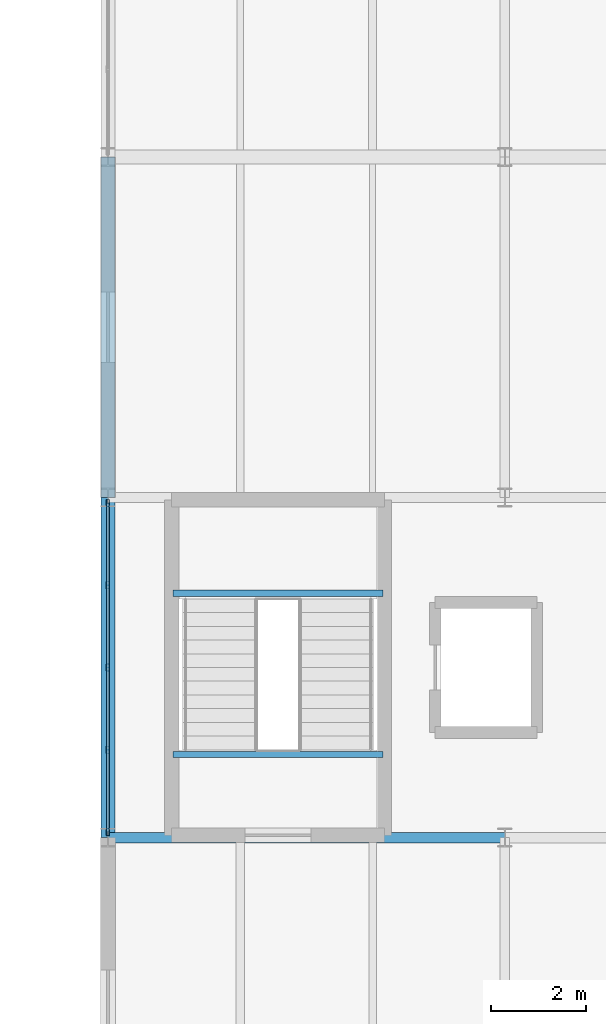
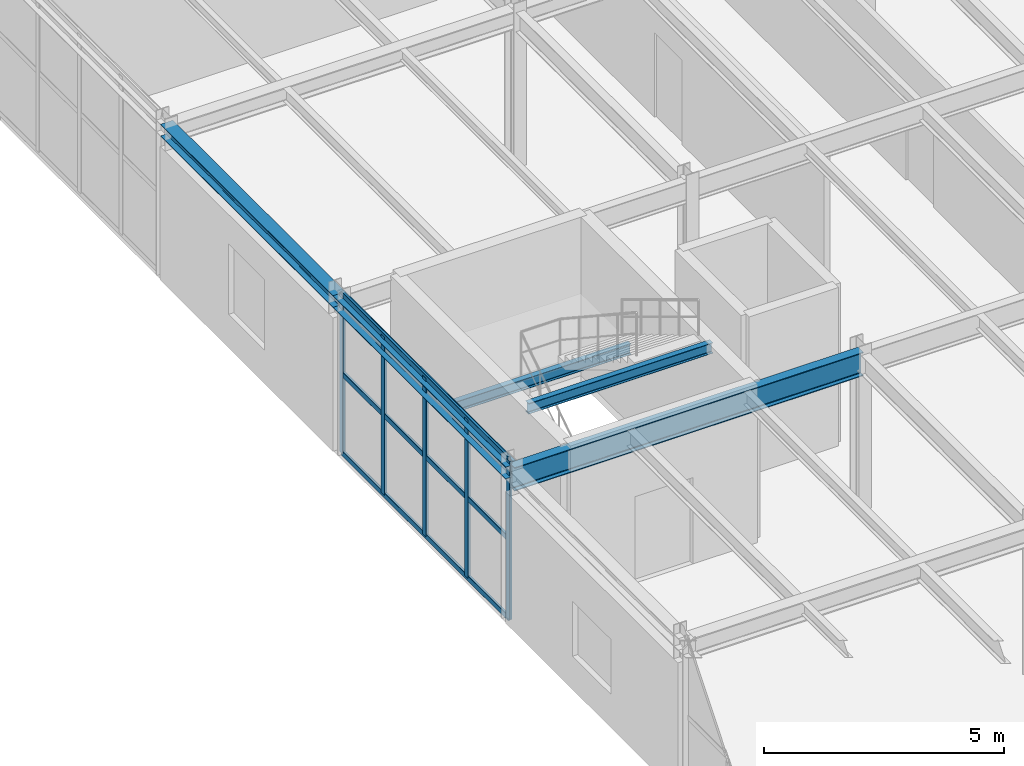
# One storey, part 78 of 134: 8 members, 5 beams, 1 element without a shape of its own.
"""IFC4 building model written with IfcOpenShell, lengths in metres."""

from ifc_helpers import new_model, si_unit, derived_unit, direction, frame, origin, origin_2d, place, context, subcontext, project, spatial, hollow_rectangle, i_section, extrude, material, material_profile, profile_set, type_object, element, aggregate, save


model = new_model("IFC4")

# Units and contexts
model_context = context("Model", 3, precision=1e-05, world=origin(), true_north=direction((0.0, 1.0)))
body_context = subcontext(model_context, "Body", "Model", "MODEL_VIEW")
ifc_project = project(units=[si_unit("LENGTHUNIT", "METRE"), si_unit("AREAUNIT", "SQUARE_METRE"), si_unit("VOLUMEUNIT", "CUBIC_METRE"), si_unit("PLANEANGLEUNIT", "RADIAN"), si_unit("MASSUNIT", "GRAM", prefix="KILO"), derived_unit("THERMALTRANSMITTANCEUNIT", [(si_unit("MASSUNIT", "GRAM", prefix="KILO"), 1), (si_unit("TIMEUNIT", "SECOND"), -3), (si_unit("THERMODYNAMICTEMPERATUREUNIT", "KELVIN"), -1)])], contexts=[model_context])

# Site, building, storey
site_placement = place(None, origin())
site = spatial("IfcSite", under=ifc_project, at=site_placement, CompositionType="ELEMENT")
building_placement = place(site_placement, origin())
building = spatial("IfcBuilding", under=site, at=building_placement, Name="Kharveza Railside Sports Centre", CompositionType="ELEMENT")
storey_placement = place(building_placement, frame((0.0, 0.0, 12.89990234375)))
storey = spatial("IfcBuildingStorey", under=building, at=storey_placement, Name="L03", CompositionType="ELEMENT", Elevation=12.89990234375)

# Beams
ifc_material_1 = material(Name="Steel S355J2", Category="steel")
ifc_material_profile_1 = material_profile(ifc_material_1, i_section(OverallWidth=0.219970703125, OverallDepth=0.60009765625, WebThickness=0.011962890625, FlangeThickness=0.01904296875, FilletRadius=0.02392578125, at=origin_2d()), Name="IPE 600")
ifc_profile_set_1 = profile_set([ifc_material_profile_1], Name="Steel S355J2")
beam_type_1 = type_object("IfcBeamType", Name="BM-G01", PredefinedType="T_BEAM", material=ifc_profile_set_1)
beam_placement = place(storey_placement, frame((142.800048828125, 57.60009765625, 3.66015625), z_axis=(1.0, 0.0, 0.0), x_axis=(0.0, 1.0, 0.0)))
element("IfcBeam", 1, at=beam_placement, inside=storey, type_object=beam_type_1, Name="BM-EW-L03-B01-X1428-Y576", PredefinedType="T_BEAM", context=body_context, shape_type="SweptSolid", body=[
    extrude(i_section(OverallWidth=0.219970703125, OverallDepth=0.60009765625, WebThickness=0.011962890625, FlangeThickness=0.01904296875, FilletRadius=0.02392578125, at=origin_2d()), origin(), (0.0, 0.0, 1.0), 8.39990234375),
])
ifc_material_profile_2 = material_profile(ifc_material_1, i_section(OverallWidth=0.135009765625, OverallDepth=0.27001953125, WebThickness=0.006591796875, FlangeThickness=0.01025390625, FilletRadius=0.014892578125, at=origin_2d()), Name="IPE 270")
ifc_profile_set_2 = profile_set([ifc_material_profile_2], Name="Steel S355J2")
beam_type_2 = type_object("IfcBeamType", Name="BM-S05", PredefinedType="BEAM", material=ifc_profile_set_2)
for number, where, z_axis, x_axis, name in (
    (2, (144.179931640625, 62.77001953125, 1.780029296875), (1.0, 0.0, 0.0), (0.0, 1.0, 0.0), "BM-HLND-ST2-L03"),
    (3, (144.179931640625, 59.360107421875, 3.880126953125), (1.0, 0.0, 0.0), (0.0, 1.0, 0.0), "BM-STLND-ST2-L04"),
):
    element("IfcBeam", number, at=place(storey_placement, frame(where, z_axis=z_axis, x_axis=x_axis)), inside=storey, type_object=beam_type_2, Name=name, PredefinedType="BEAM", context=body_context, shape_type="SweptSolid", body=[
        extrude(i_section(OverallWidth=0.135009765625, OverallDepth=0.27001953125, WebThickness=0.006591796875, FlangeThickness=0.01025390625, FilletRadius=0.014892578125, at=origin_2d()), origin(), (0.0, 0.0, 1.0), 4.440185546875),
    ])
ifc_material_profile_3 = material_profile(ifc_material_1, i_section(OverallWidth=0.300048828125, OverallDepth=0.31005859375, WebThickness=0.009033203125, FlangeThickness=0.015380859375, FilletRadius=0.027099609375, at=origin_2d()), Name="HEA 320")
ifc_profile_set_3 = profile_set([ifc_material_profile_3], Name="Steel S355J2")
beam_type_3 = type_object("IfcBeamType", Name="BM-S06", PredefinedType="BEAM", material=ifc_profile_set_3)
for number, where, z_axis, x_axis, name in (
    (4, (142.800048828125, 57.60009765625, 3.80517578125), (0.0, 1.0, 0.0), (-1.0, 0.0, 0.0), "BM-NS-L03-B14-X1428-Y576"),
    (5, (142.800048828125, 64.800048828125, 3.80517578125), (0.0, 1.0, 0.0), (-1.0, 0.0, 0.0), "BM-NS-L03-B14-X1428-Y648"),
):
    element("IfcBeam", number, at=place(storey_placement, frame(where, z_axis=z_axis, x_axis=x_axis)), inside=storey, type_object=beam_type_3, Name=name, PredefinedType="BEAM", context=body_context, shape_type="SweptSolid", body=[
        extrude(i_section(OverallWidth=0.300048828125, OverallDepth=0.31005859375, WebThickness=0.009033203125, FlangeThickness=0.015380859375, FilletRadius=0.027099609375, at=origin_2d()), origin(), (0.0, 0.0, 1.0), 7.199951171875),
    ])

# Curtain wall, members
ifc_material_2 = material(Name="Low-E solar-control laminated glass", Category="glass")
curtain_wall_type = type_object("IfcCurtainWallType", Name="CW-WG02", PredefinedType="NOTDEFINED", material=ifc_material_2)
curtain_wall_placement = place(storey_placement, origin())
curtain_wall = element("IfcCurtainWall", 6, at=curtain_wall_placement, inside=storey, type_object=curtain_wall_type, Name="CW-WG-L03-CW-WG02-X1428-Y612", PredefinedType="NOTDEFINED")
ifc_material_3 = material(Name="Anodised aluminium 6063-T6", Category="aluminium")
ifc_material_profile_4 = material_profile(ifc_material_3, hollow_rectangle(XDim=0.06494140625, YDim=0.14990234375, WallThickness=0.0048828125, InnerFilletRadius=0.0048828125, OuterFilletRadius=0.010009765625, at=origin_2d()), Name="RHS 65x150x5.0")
ifc_profile_set_4 = profile_set([ifc_material_profile_4], Name="Anodised aluminium 6063-T6")
member_type_1 = type_object("IfcMemberType", Name="CW-ML04", PredefinedType="MULLION", material=ifc_profile_set_4)
member_1_placement = place(storey_placement, frame((142.800048828125, 64.679931640625, 0.0), z_axis=(0.0, 0.0, 1.0), x_axis=(1.0, 0.0, 0.0)))
member_1 = element("IfcMember", 7, at=member_1_placement, type_object=member_type_1, Name="CW-WG-L03-CW-WG02-X1428-Y612-ML1", PredefinedType="MULLION", context=body_context, shape_type="SweptSolid", body=[
    extrude(hollow_rectangle(XDim=0.06494140625, YDim=0.14990234375, WallThickness=0.0048828125, InnerFilletRadius=0.0048828125, OuterFilletRadius=0.010009765625, at=origin_2d()), origin(), (0.0, 0.0, 1.0), 4.03515625),
])
member_2_placement = place(storey_placement, frame((142.800048828125, 62.93994140625, 0.0), z_axis=(0.0, 0.0, 1.0), x_axis=(1.0, 0.0, 0.0)))
member_2 = element("IfcMember", 8, at=member_2_placement, type_object=member_type_1, Name="CW-WG-L03-CW-WG02-X1428-Y612-ML2", PredefinedType="MULLION", context=body_context, shape_type="SweptSolid", body=[
    extrude(hollow_rectangle(XDim=0.06494140625, YDim=0.14990234375, WallThickness=0.0048828125, InnerFilletRadius=0.0048828125, OuterFilletRadius=0.010009765625, at=origin_2d()), origin(), (0.0, 0.0, 1.0), 4.03515625),
])
member_3_placement = place(storey_placement, frame((142.800048828125, 61.199951171875, 0.0), z_axis=(0.0, 0.0, 1.0), x_axis=(1.0, 0.0, 0.0)))
member_3 = element("IfcMember", 9, at=member_3_placement, type_object=member_type_1, Name="CW-WG-L03-CW-WG02-X1428-Y612-ML3", PredefinedType="MULLION", context=body_context, shape_type="SweptSolid", body=[
    extrude(hollow_rectangle(XDim=0.06494140625, YDim=0.14990234375, WallThickness=0.0048828125, InnerFilletRadius=0.0048828125, OuterFilletRadius=0.010009765625, at=origin_2d()), origin(), (0.0, 0.0, 1.0), 4.03515625),
])
member_4_placement = place(storey_placement, frame((142.800048828125, 59.4599609375, 0.0), z_axis=(0.0, 0.0, 1.0), x_axis=(1.0, 0.0, 0.0)))
member_4 = element("IfcMember", 10, at=member_4_placement, type_object=member_type_1, Name="CW-WG-L03-CW-WG02-X1428-Y612-ML4", PredefinedType="MULLION", context=body_context, shape_type="SweptSolid", body=[
    extrude(hollow_rectangle(XDim=0.06494140625, YDim=0.14990234375, WallThickness=0.0048828125, InnerFilletRadius=0.0048828125, OuterFilletRadius=0.010009765625, at=origin_2d()), origin(), (0.0, 0.0, 1.0), 4.03515625),
])
member_5_placement = place(storey_placement, frame((142.800048828125, 57.719970703125, 0.0), z_axis=(0.0, 0.0, 1.0), x_axis=(1.0, 0.0, 0.0)))
member_5 = element("IfcMember", 11, at=member_5_placement, type_object=member_type_1, Name="CW-WG-L03-CW-WG02-X1428-Y612-ML5", PredefinedType="MULLION", context=body_context, shape_type="SweptSolid", body=[
    extrude(hollow_rectangle(XDim=0.06494140625, YDim=0.14990234375, WallThickness=0.0048828125, InnerFilletRadius=0.0048828125, OuterFilletRadius=0.010009765625, at=origin_2d()), origin(), (0.0, 0.0, 1.0), 4.03515625),
])
ifc_material_profile_5 = material_profile(ifc_material_3, hollow_rectangle(XDim=0.06005859375, YDim=0.139892578125, WallThickness=0.0048828125, InnerFilletRadius=0.0048828125, OuterFilletRadius=0.010009765625, at=origin_2d()), Name="RHS 60x140x5.0")
ifc_profile_set_5 = profile_set([ifc_material_profile_5], Name="Anodised aluminium 6063-T6")
member_type_2 = type_object("IfcMemberType", Name="CW-TR04", PredefinedType="USERDEFINED", material=ifc_profile_set_5)
member_6_placement = place(storey_placement, frame((142.800048828125, 64.679931640625, 0.0), z_axis=(0.0, -1.0, 0.0), x_axis=(1.0, 0.0, 0.0)))
member_6 = element("IfcMember", 12, at=member_6_placement, type_object=member_type_2, Name="CW-WG-L03-CW-WG02-X1428-Y612-TR1", ObjectType="TRANSOM", PredefinedType="USERDEFINED", context=body_context, shape_type="SweptSolid", body=[
    extrude(hollow_rectangle(XDim=0.06005859375, YDim=0.139892578125, WallThickness=0.0048828125, InnerFilletRadius=0.0048828125, OuterFilletRadius=0.010009765625, at=origin_2d()), origin(), (0.0, 0.0, 1.0), 6.9599609375),
])
member_7_placement = place(storey_placement, frame((142.800048828125, 64.679931640625, 2.017578125), z_axis=(0.0, -1.0, 0.0), x_axis=(1.0, 0.0, 0.0)))
member_7 = element("IfcMember", 13, at=member_7_placement, type_object=member_type_2, Name="CW-WG-L03-CW-WG02-X1428-Y612-TR2", ObjectType="TRANSOM", PredefinedType="USERDEFINED", context=body_context, shape_type="SweptSolid", body=[
    extrude(hollow_rectangle(XDim=0.06005859375, YDim=0.139892578125, WallThickness=0.0048828125, InnerFilletRadius=0.0048828125, OuterFilletRadius=0.010009765625, at=origin_2d()), origin(), (0.0, 0.0, 1.0), 6.9599609375),
])
member_8_placement = place(storey_placement, frame((142.800048828125, 64.679931640625, 4.03515625), z_axis=(0.0, -1.0, 0.0), x_axis=(1.0, 0.0, 0.0)))
member_8 = element("IfcMember", 14, at=member_8_placement, type_object=member_type_2, Name="CW-WG-L03-CW-WG02-X1428-Y612-TR3", ObjectType="TRANSOM", PredefinedType="USERDEFINED", context=body_context, shape_type="SweptSolid", body=[
    extrude(hollow_rectangle(XDim=0.06005859375, YDim=0.139892578125, WallThickness=0.0048828125, InnerFilletRadius=0.0048828125, OuterFilletRadius=0.010009765625, at=origin_2d()), origin(), (0.0, 0.0, 1.0), 6.9599609375),
])
aggregate(curtain_wall, [member_1, member_2, member_3, member_4, member_5, member_6, member_7, member_8])

save(model, "model.ifc")
